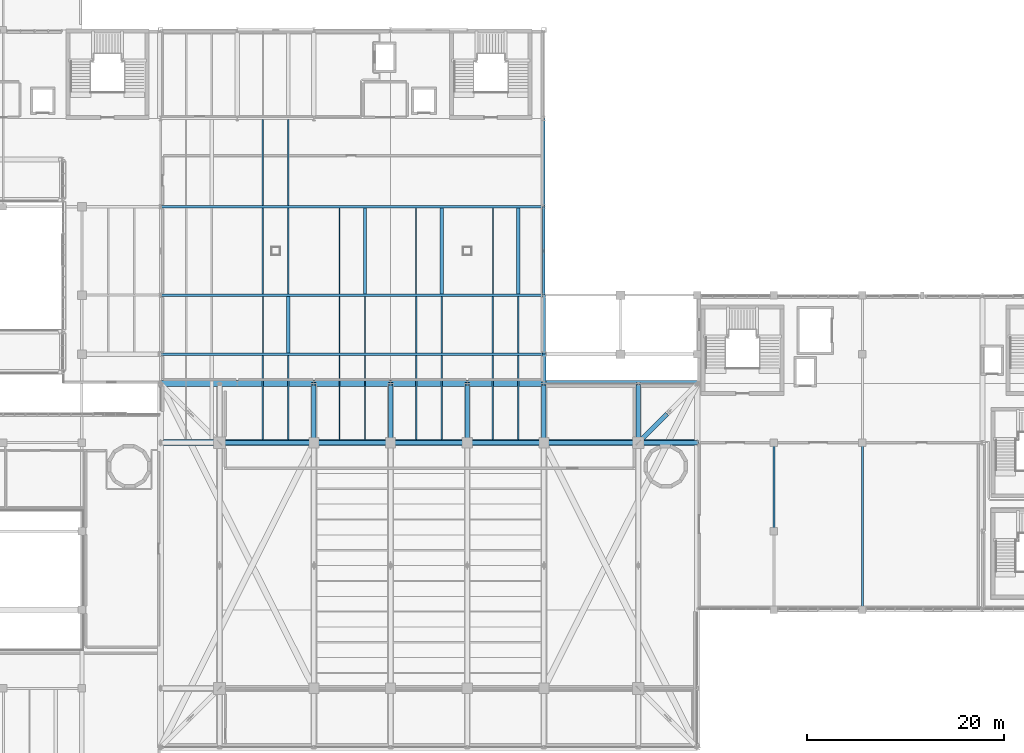
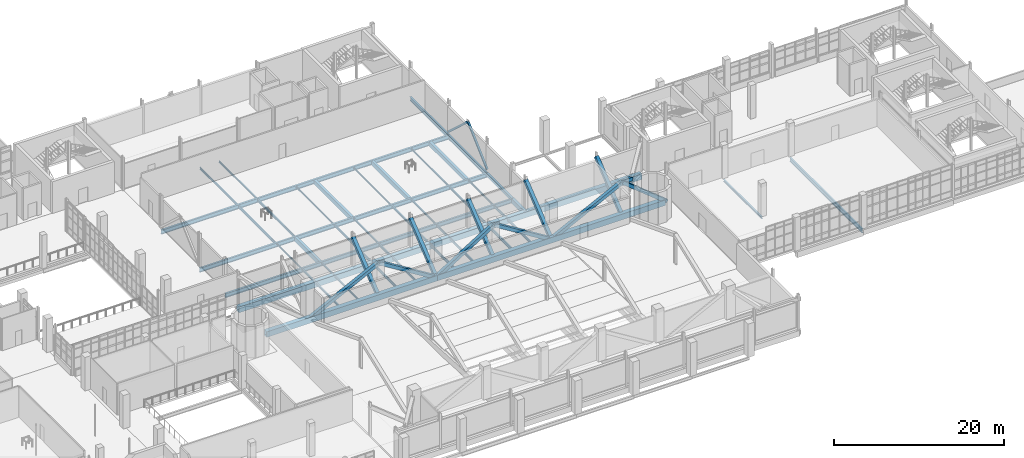
# One storey, part 59 of 127: 38 beams, 14 members.
"""IFC4 building model written with IfcOpenShell, lengths in metres."""

from ifc_helpers import new_model, si_unit, derived_unit, direction, frame, origin, origin_2d, place, context, subcontext, project, spatial, rectangle, hollow_rectangle, i_section, extrude, material, material_profile, profile_set, type_object, element, save


model = new_model("IFC4")

# Units and contexts
model_context = context("Model", 3, precision=1e-05, world=origin(), true_north=direction((0.0, 1.0)))
body_context = subcontext(model_context, "Body", "Model", "MODEL_VIEW")
ifc_project = project(units=[si_unit("LENGTHUNIT", "METRE"), si_unit("AREAUNIT", "SQUARE_METRE"), si_unit("VOLUMEUNIT", "CUBIC_METRE"), si_unit("PLANEANGLEUNIT", "RADIAN"), si_unit("MASSUNIT", "GRAM", prefix="KILO"), derived_unit("THERMALTRANSMITTANCEUNIT", [(si_unit("POWERUNIT", "WATT"), 1), (si_unit("LENGTHUNIT", "METRE"), -2), (si_unit("THERMODYNAMICTEMPERATUREUNIT", "KELVIN"), -1)])], contexts=[model_context])

# Site, building, storey
site_placement = place(None, origin())
site = spatial("IfcSite", under=ifc_project, at=site_placement, CompositionType="ELEMENT")
building_placement = place(site_placement, origin())
building = spatial("IfcBuilding", under=site, at=building_placement, Name="Nallur Shell Playhouse", CompositionType="ELEMENT")
storey_placement = place(building_placement, frame((0.0, 0.0, 5.39990234375)))
storey = spatial("IfcBuildingStorey", under=building, at=storey_placement, Name="L02", CompositionType="ELEMENT", Elevation=5.39990234375)

# Beams
ifc_material_1 = material(Name="Steel E250", Category="steel")
ifc_material_profile_1 = material_profile(ifc_material_1, i_section(OverallWidth=0.110107421875, OverallDepth=0.22509765625, WebThickness=0.006591796875, FlangeThickness=0.01171875, FilletRadius=0.011962890625, at=origin_2d()), Name="ISMB 225")
ifc_profile_set_1 = profile_set([ifc_material_profile_1], Name="Steel E250")
beam_type_1 = type_object("IfcBeamType", Name="BM-JST-ISMB225", PredefinedType="JOIST", material=ifc_profile_set_1)
beam_1_placement = place(storey_placement, frame((74.39990234375, 50.123046875, -0.392333984375), z_axis=(0.0, 1.0, 0.0), x_axis=(-1.0, 0.0, 0.0)))
element("IfcBeam", 1, at=beam_1_placement, inside=storey, type_object=beam_type_1, Name="L02 secondary joist 9-F-545", PredefinedType="JOIST", context=body_context, shape_type="SweptSolid", body=[
    extrude(i_section(OverallWidth=0.110107421875, OverallDepth=0.22509765625, WebThickness=0.006591796875, FlangeThickness=0.01171875, FilletRadius=0.011962890625, at=origin_2d()), origin(), (0.0, 0.0, 1.0), 5.75390625),
])
for number, where, z_axis, x_axis, name in (
    (2, (82.199951171875, 56.123046875, -0.392333984375), (0.0, 1.0, 0.0), (-1.0, 0.0, 0.0), "L02 secondary joist 10-G-557"),
    (3, (90.0, 56.123046875, -0.392333984375), (0.0, 1.0, 0.0), (-1.0, 0.0, 0.0), "L02 secondary joist 11-G-563"),
    (4, (97.800048828125, 56.123046875, -0.392333984375), (0.0, 1.0, 0.0), (-1.0, 0.0, 0.0), "L02 secondary joist 12-G-569"),
):
    element("IfcBeam", number, at=place(storey_placement, frame(where, z_axis=z_axis, x_axis=x_axis)), inside=storey, type_object=beam_type_1, Name=name, PredefinedType="JOIST", context=body_context, shape_type="SweptSolid", body=[
        extrude(i_section(OverallWidth=0.110107421875, OverallDepth=0.22509765625, WebThickness=0.006591796875, FlangeThickness=0.01171875, FilletRadius=0.011962890625, at=origin_2d()), origin(), (0.0, 0.0, 1.0), 8.75390625),
    ])
ifc_material_profile_2 = material_profile(ifc_material_1, i_section(OverallWidth=0.125, OverallDepth=0.25, WebThickness=0.0068359375, FlangeThickness=0.012451171875, FilletRadius=0.012939453125, at=origin_2d()), Name="ISMB 250")
ifc_profile_set_2 = profile_set([ifc_material_profile_2], Name="Steel E250")
beam_type_2 = type_object("IfcBeamType", Name="BM-JST-ISMB250", PredefinedType="JOIST", material=ifc_profile_set_2)
beam_2_placement = place(storey_placement, frame((77.0, 41.298095703125, -0.40478515625), z_axis=(0.0, 1.0, 0.0), x_axis=(-1.0, 0.0, 0.0)))
element("IfcBeam", 5, at=beam_2_placement, inside=storey, type_object=beam_type_2, Name="L02 secondary joist 9-E-544", PredefinedType="JOIST", context=body_context, shape_type="SweptSolid", body=[
    extrude(i_section(OverallWidth=0.125, OverallDepth=0.25, WebThickness=0.0068359375, FlangeThickness=0.012451171875, FilletRadius=0.012939453125, at=origin_2d()), origin(), (0.0, 0.0, 1.0), 8.578857421875),
])
beam_3_placement = place(storey_placement, frame((77.0, 65.123046875, -0.40478515625), z_axis=(0.0, 1.0, 0.0), x_axis=(-1.0, 0.0, 0.0)))
element("IfcBeam", 6, at=beam_3_placement, inside=storey, type_object=beam_type_2, Name="L02 secondary joist 9-H-550", PredefinedType="JOIST", context=body_context, shape_type="SweptSolid", body=[
    extrude(i_section(OverallWidth=0.125, OverallDepth=0.25, WebThickness=0.0068359375, FlangeThickness=0.012451171875, FilletRadius=0.012939453125, at=origin_2d()), origin(), (0.0, 0.0, 1.0), 8.779052734375),
])
for number, where, z_axis, x_axis, name in (
    (7, (84.800048828125, 50.123046875, -0.40478515625), (0.0, 1.0, 0.0), (-1.0, 0.0, 0.0), "L02 secondary joist 10-F-556"),
    (8, (92.60009765625, 50.123046875, -0.40478515625), (0.0, 1.0, 0.0), (-1.0, 0.0, 0.0), "L02 secondary joist 11-F-562"),
    (9, (100.39990234375, 50.123046875, -0.40478515625), (0.0, 1.0, 0.0), (-1.0, 0.0, 0.0), "L02 secondary joist 12-F-568"),
):
    element("IfcBeam", number, at=place(storey_placement, frame(where, z_axis=z_axis, x_axis=x_axis)), inside=storey, type_object=beam_type_2, Name=name, PredefinedType="JOIST", context=body_context, shape_type="SweptSolid", body=[
        extrude(i_section(OverallWidth=0.125, OverallDepth=0.25, WebThickness=0.0068359375, FlangeThickness=0.012451171875, FilletRadius=0.012939453125, at=origin_2d()), origin(), (0.0, 0.0, 1.0), 5.75390625),
    ])
ifc_material_profile_3 = material_profile(ifc_material_1, i_section(OverallWidth=0.139892578125, OverallDepth=0.300048828125, WebThickness=0.0078125, FlangeThickness=0.01318359375, FilletRadius=0.013916015625, at=origin_2d()), Name="ISMB 300")
ifc_profile_set_3 = profile_set([ifc_material_profile_3], Name="Steel E250")
beam_type_3 = type_object("IfcBeamType", Name="BM-JST-ISMB300", PredefinedType="JOIST", material=ifc_profile_set_3)
beam_4_placement = place(storey_placement, frame((74.39990234375, 41.298095703125, -0.429931640625), z_axis=(0.0, 1.0, 0.0), x_axis=(-1.0, 0.0, 0.0)))
element("IfcBeam", 10, at=beam_4_placement, inside=storey, type_object=beam_type_3, Name="L02 secondary joist 9-E-543", PredefinedType="JOIST", context=body_context, shape_type="SweptSolid", body=[
    extrude(i_section(OverallWidth=0.139892578125, OverallDepth=0.300048828125, WebThickness=0.0078125, FlangeThickness=0.01318359375, FilletRadius=0.013916015625, at=origin_2d()), origin(), (0.0, 0.0, 1.0), 8.578857421875),
])
beam_5_placement = place(storey_placement, frame((74.39990234375, 65.123046875, -0.429931640625), z_axis=(0.0, 1.0, 0.0), x_axis=(-1.0, 0.0, 0.0)))
element("IfcBeam", 11, at=beam_5_placement, inside=storey, type_object=beam_type_3, Name="L02 secondary joist 9-H-549", PredefinedType="JOIST", context=body_context, shape_type="SweptSolid", body=[
    extrude(i_section(OverallWidth=0.139892578125, OverallDepth=0.300048828125, WebThickness=0.0078125, FlangeThickness=0.01318359375, FilletRadius=0.013916015625, at=origin_2d()), origin(), (0.0, 0.0, 1.0), 8.779052734375),
])
for number, where, z_axis, x_axis, name in (
    (12, (82.199951171875, 50.123046875, -0.429931640625), (0.0, 1.0, 0.0), (-1.0, 0.0, 0.0), "L02 secondary joist 10-F-555"),
    (13, (90.0, 50.123046875, -0.429931640625), (0.0, 1.0, 0.0), (-1.0, 0.0, 0.0), "L02 secondary joist 11-F-561"),
    (14, (97.800048828125, 50.123046875, -0.429931640625), (0.0, 1.0, 0.0), (-1.0, 0.0, 0.0), "L02 secondary joist 12-F-567"),
):
    element("IfcBeam", number, at=place(storey_placement, frame(where, z_axis=z_axis, x_axis=x_axis)), inside=storey, type_object=beam_type_3, Name=name, PredefinedType="JOIST", context=body_context, shape_type="SweptSolid", body=[
        extrude(i_section(OverallWidth=0.139892578125, OverallDepth=0.300048828125, WebThickness=0.0078125, FlangeThickness=0.01318359375, FilletRadius=0.013916015625, at=origin_2d()), origin(), (0.0, 0.0, 1.0), 5.75390625),
    ])
ifc_material_profile_4 = material_profile(ifc_material_1, i_section(OverallWidth=0.139892578125, OverallDepth=0.35009765625, WebThickness=0.008056640625, FlangeThickness=0.01416015625, FilletRadius=0.013916015625, at=origin_2d()), Name="ISMB 350")
ifc_profile_set_4 = profile_set([ifc_material_profile_4], Name="Steel E250")
beam_type_4 = type_object("IfcBeamType", Name="BM-JST-ISMB350", PredefinedType="JOIST", material=ifc_profile_set_4)
beam_6_placement = place(storey_placement, frame((77.0, 56.123046875, -0.454833984375), z_axis=(0.0, 1.0, 0.0), x_axis=(-1.0, 0.0, 0.0)))
element("IfcBeam", 15, at=beam_6_placement, inside=storey, type_object=beam_type_4, Name="L02 secondary joist 9-G-548", PredefinedType="JOIST", context=body_context, shape_type="SweptSolid", body=[
    extrude(i_section(OverallWidth=0.139892578125, OverallDepth=0.35009765625, WebThickness=0.008056640625, FlangeThickness=0.01416015625, FilletRadius=0.013916015625, at=origin_2d()), origin(), (0.0, 0.0, 1.0), 8.75390625),
])
for number, where, z_axis, x_axis, name in (
    (16, (84.800048828125, 41.298095703125, -0.454833984375), (0.0, 1.0, 0.0), (-1.0, 0.0, 0.0), "L02 secondary joist 10-E-554"),
    (17, (92.60009765625, 41.298095703125, -0.454833984375), (0.0, 1.0, 0.0), (-1.0, 0.0, 0.0), "L02 secondary joist 11-E-560"),
    (18, (100.39990234375, 41.298095703125, -0.454833984375), (0.0, 1.0, 0.0), (-1.0, 0.0, 0.0), "L02 secondary joist 12-E-566"),
):
    element("IfcBeam", number, at=place(storey_placement, frame(where, z_axis=z_axis, x_axis=x_axis)), inside=storey, type_object=beam_type_4, Name=name, PredefinedType="JOIST", context=body_context, shape_type="SweptSolid", body=[
        extrude(i_section(OverallWidth=0.139892578125, OverallDepth=0.35009765625, WebThickness=0.008056640625, FlangeThickness=0.01416015625, FilletRadius=0.013916015625, at=origin_2d()), origin(), (0.0, 0.0, 1.0), 8.578857421875),
    ])
ifc_material_profile_5 = material_profile(ifc_material_1, i_section(OverallWidth=0.139892578125, OverallDepth=0.39990234375, WebThickness=0.0087890625, FlangeThickness=0.01611328125, FilletRadius=0.013916015625, at=origin_2d()), Name="ISMB 400")
ifc_profile_set_5 = profile_set([ifc_material_profile_5], Name="Steel E250")
beam_type_5 = type_object("IfcBeamType", Name="BM-JST-ISMB400", PredefinedType="JOIST", material=ifc_profile_set_5)
beam_7_placement = place(storey_placement, frame((74.39990234375, 56.123046875, -0.47998046875), z_axis=(0.0, 1.0, 0.0), x_axis=(-1.0, 0.0, 0.0)))
element("IfcBeam", 19, at=beam_7_placement, inside=storey, type_object=beam_type_5, Name="L02 secondary joist 9-G-547", PredefinedType="JOIST", context=body_context, shape_type="SweptSolid", body=[
    extrude(i_section(OverallWidth=0.139892578125, OverallDepth=0.39990234375, WebThickness=0.0087890625, FlangeThickness=0.01611328125, FilletRadius=0.013916015625, at=origin_2d()), origin(), (0.0, 0.0, 1.0), 8.75390625),
])
for number, where, z_axis, x_axis, name in (
    (20, (82.199951171875, 41.298095703125, -0.47998046875), (0.0, 1.0, 0.0), (-1.0, 0.0, 0.0), "L02 secondary joist 10-E-553"),
    (21, (90.0, 41.298095703125, -0.47998046875), (0.0, 1.0, 0.0), (-1.0, 0.0, 0.0), "L02 secondary joist 11-E-559"),
    (22, (97.800048828125, 41.298095703125, -0.47998046875), (0.0, 1.0, 0.0), (-1.0, 0.0, 0.0), "L02 secondary joist 12-E-565"),
):
    element("IfcBeam", number, at=place(storey_placement, frame(where, z_axis=z_axis, x_axis=x_axis)), inside=storey, type_object=beam_type_5, Name=name, PredefinedType="JOIST", context=body_context, shape_type="SweptSolid", body=[
        extrude(i_section(OverallWidth=0.139892578125, OverallDepth=0.39990234375, WebThickness=0.0087890625, FlangeThickness=0.01611328125, FilletRadius=0.013916015625, at=origin_2d()), origin(), (0.0, 0.0, 1.0), 8.578857421875),
    ])
ifc_material_2 = material(Name="Concrete M30", Category="concrete")
ifc_material_profile_6 = material_profile(ifc_material_2, rectangle(XDim=0.35009765625, YDim=0.60009765625, at=origin_2d()), Name="RC 350x600")
ifc_profile_set_6 = profile_set([ifc_material_profile_6], Name="Concrete M30")
beam_type_6 = type_object("IfcBeamType", Name="BM-RC-350x600", PredefinedType="JOIST", material=ifc_profile_set_6)
beam_8_placement = place(storey_placement, frame((77.0, 50.123046875, -0.579833984375), z_axis=(0.0, 1.0, 0.0), x_axis=(-1.0, 0.0, 0.0)))
element("IfcBeam", 23, at=beam_8_placement, inside=storey, type_object=beam_type_6, Name="L02 secondary joist 9-F-546", PredefinedType="JOIST", context=body_context, shape_type="SweptSolid", body=[
    extrude(rectangle(XDim=0.35009765625, YDim=0.60009765625, at=origin_2d()), origin(), (0.0, 0.0, 1.0), 5.75390625),
])
for number, where, z_axis, x_axis, name in (
    (24, (84.800048828125, 56.123046875, -0.579833984375), (0.0, 1.0, 0.0), (-1.0, 0.0, 0.0), "L02 secondary joist 10-G-558"),
    (25, (92.60009765625, 56.123046875, -0.579833984375), (0.0, 1.0, 0.0), (-1.0, 0.0, 0.0), "L02 secondary joist 11-G-564"),
    (26, (100.39990234375, 56.123046875, -0.579833984375), (0.0, 1.0, 0.0), (-1.0, 0.0, 0.0), "L02 secondary joist 12-G-570"),
):
    element("IfcBeam", number, at=place(storey_placement, frame(where, z_axis=z_axis, x_axis=x_axis)), inside=storey, type_object=beam_type_6, Name=name, PredefinedType="JOIST", context=body_context, shape_type="SweptSolid", body=[
        extrude(rectangle(XDim=0.35009765625, YDim=0.60009765625, at=origin_2d()), origin(), (0.0, 0.0, 1.0), 8.75390625),
    ])
ifc_material_3 = material(Name="Concrete M35", Category="concrete")
ifc_material_profile_7 = material_profile(ifc_material_3, rectangle(XDim=0.39990234375, YDim=0.64990234375, at=origin_2d()), Name="RC 400x650")
ifc_profile_set_7 = profile_set([ifc_material_profile_7], Name="Concrete M35")
beam_type_7 = type_object("IfcBeamType", Name="BM-RC-400x650", PredefinedType="BEAM", material=ifc_profile_set_7)
beam_9_placement = place(storey_placement, frame((103.0, 47.0, -0.60498046875), z_axis=(0.0, 1.0, 0.0), x_axis=(-1.0, 0.0, 0.0)))
element("IfcBeam", 27, at=beam_9_placement, inside=storey, type_object=beam_type_7, Name="L02 girder Y-13-447", PredefinedType="BEAM", context=body_context, shape_type="SweptSolid", body=[
    extrude(rectangle(XDim=0.39990234375, YDim=0.64990234375, at=origin_2d()), origin(), (0.0, 0.0, 1.0), 3.0),
])
ifc_material_profile_8 = material_profile(ifc_material_3, rectangle(XDim=0.300048828125, YDim=0.449951171875, at=origin_2d()), Name="RC 300x450")
ifc_profile_set_8 = profile_set([ifc_material_profile_8], Name="Concrete M35")
beam_type_8 = type_object("IfcBeamType", Name="BM-SPN-300x450", PredefinedType="SPANDREL", material=ifc_profile_set_8)
beam_10_placement = place(storey_placement, frame((103.0, 50.0, -0.5048828125), z_axis=(0.0, 1.0, 0.0), x_axis=(-1.0, 0.0, 0.0)))
element("IfcBeam", 28, at=beam_10_placement, inside=storey, type_object=beam_type_8, Name="L02 girder Y-13-448", PredefinedType="SPANDREL", context=body_context, shape_type="SweptSolid", body=[
    extrude(rectangle(XDim=0.300048828125, YDim=0.449951171875, at=origin_2d()), origin(), (0.0, 0.0, 1.0), 6.0),
])
ifc_material_4 = material(Name="Steel E350", Category="steel")
ifc_material_profile_9 = material_profile(ifc_material_4, i_section(OverallWidth=0.2099609375, OverallDepth=0.60009765625, WebThickness=0.011962890625, FlangeThickness=0.020751953125, FilletRadius=0.02001953125, at=origin_2d()), Name="ISMB 600")
ifc_profile_set_9 = profile_set([ifc_material_profile_9], Name="Steel E350")
beam_type_9 = type_object("IfcBeamType", Name="BM-ST-ISMB600", PredefinedType="BEAM", material=ifc_profile_set_9)
beam_11_placement = place(storey_placement, frame((135.39990234375, 24.0, -0.579833984375), z_axis=(0.0, 1.0, 0.0), x_axis=(-1.0, 0.0, 0.0)))
element("IfcBeam", 29, at=beam_11_placement, inside=storey, type_object=beam_type_9, Name="L02 girder Y-17-456", PredefinedType="BEAM", context=body_context, shape_type="SweptSolid", body=[
    extrude(i_section(OverallWidth=0.2099609375, OverallDepth=0.60009765625, WebThickness=0.011962890625, FlangeThickness=0.020751953125, FilletRadius=0.02001953125, at=origin_2d()), origin(), (0.0, 0.0, 1.0), 17.0),
])
ifc_material_profile_10 = material_profile(ifc_material_1, i_section(OverallWidth=0.199951171875, OverallDepth=0.300048828125, WebThickness=0.00732421875, FlangeThickness=0.010009765625, FilletRadius=0.010986328125, at=origin_2d()), Name="ISWB 300")
ifc_profile_set_10 = profile_set([ifc_material_profile_10], Name="Steel E250")
beam_type_10 = type_object("IfcBeamType", Name="BM-ST-ISWB300", PredefinedType="BEAM", material=ifc_profile_set_10)
beam_12_placement = place(storey_placement, frame((126.39990234375, 32.0, -0.429931640625), z_axis=(0.0, 1.0, 0.0), x_axis=(-1.0, 0.0, 0.0)))
element("IfcBeam", 30, at=beam_12_placement, inside=storey, type_object=beam_type_10, Name="L02 girder Y-16-455", PredefinedType="BEAM", context=body_context, shape_type="SweptSolid", body=[
    extrude(i_section(OverallWidth=0.199951171875, OverallDepth=0.300048828125, WebThickness=0.00732421875, FlangeThickness=0.010009765625, FilletRadius=0.010986328125, at=origin_2d()), origin(), (0.0, 0.0, 1.0), 9.0),
])
ifc_material_profile_11 = material_profile(ifc_material_4, i_section(OverallWidth=0.25, OverallDepth=0.550048828125, WebThickness=0.010498046875, FlangeThickness=0.017578125, FilletRadius=0.01611328125, at=origin_2d()), Name="ISWB 550")
ifc_profile_set_11 = profile_set([ifc_material_profile_11], Name="Steel E350")
beam_type_11 = type_object("IfcBeamType", Name="BM-ST-ISWB550", PredefinedType="BEAM", material=ifc_profile_set_11)
beam_13_placement = place(storey_placement, frame((103.0, 65.0, -0.554931640625), z_axis=(0.0, 1.0, 0.0), x_axis=(-1.0, 0.0, 0.0)))
element("IfcBeam", 31, at=beam_13_placement, inside=storey, type_object=beam_type_11, Name="L02 girder Y-13-450", PredefinedType="BEAM", context=body_context, shape_type="SweptSolid", body=[
    extrude(i_section(OverallWidth=0.25, OverallDepth=0.550048828125, WebThickness=0.010498046875, FlangeThickness=0.017578125, FilletRadius=0.01611328125, at=origin_2d()), origin(), (0.0, 0.0, 1.0), 9.0),
])
ifc_material_profile_12 = material_profile(ifc_material_4, i_section(OverallWidth=0.25, OverallDepth=0.60009765625, WebThickness=0.01171875, FlangeThickness=0.023681640625, FilletRadius=0.01708984375, at=origin_2d()), Name="ISWB 600")
ifc_profile_set_12 = profile_set([ifc_material_profile_12], Name="Steel E350")
beam_type_12 = type_object("IfcBeamType", Name="BM-ST-ISWB600", PredefinedType="BEAM", material=ifc_profile_set_12)
beam_14_placement = place(storey_placement, frame((103.0, 56.0, -0.579833984375), z_axis=(0.0, 1.0, 0.0), x_axis=(-1.0, 0.0, 0.0)))
element("IfcBeam", 32, at=beam_14_placement, inside=storey, type_object=beam_type_12, Name="L02 girder Y-13-449", PredefinedType="BEAM", context=body_context, shape_type="SweptSolid", body=[
    extrude(i_section(OverallWidth=0.25, OverallDepth=0.60009765625, WebThickness=0.01171875, FlangeThickness=0.023681640625, FilletRadius=0.01708984375, at=origin_2d()), origin(), (0.0, 0.0, 1.0), 9.0),
])
for number, where, z_axis, x_axis, name in (
    (33, (64.0, 50.0, -0.579833984375), (1.0, 0.0, 0.0), (0.0, 1.0, 0.0), "L02 long-span hall girder Y=50.0-470"),
    (34, (64.0, 56.0, -0.579833984375), (1.0, 0.0, 0.0), (0.0, 1.0, 0.0), "L02 long-span hall girder Y=56.0-471"),
    (35, (64.0, 65.0, -0.579833984375), (1.0, 0.0, 0.0), (0.0, 1.0, 0.0), "L02 long-span hall girder Y=65.0-472"),
):
    element("IfcBeam", number, at=place(storey_placement, frame(where, z_axis=z_axis, x_axis=x_axis)), inside=storey, type_object=beam_type_12, Name=name, PredefinedType="BEAM", context=body_context, shape_type="SweptSolid", body=[
        extrude(i_section(OverallWidth=0.25, OverallDepth=0.60009765625, WebThickness=0.01171875, FlangeThickness=0.023681640625, FilletRadius=0.01708984375, at=origin_2d()), origin(), (0.0, 0.0, 1.0), 39.0),
    ])
ifc_material_profile_13 = material_profile(ifc_material_4, hollow_rectangle(XDim=0.60009765625, YDim=0.800048828125, WallThickness=0.02490234375, at=origin_2d()), Name="BOX 600x800x25")
ifc_profile_set_13 = profile_set([ifc_material_profile_13], Name="Steel E350")
beam_type_13 = type_object("IfcBeamType", Name="BM-TT-CHORD", PredefinedType="BEAM", material=ifc_profile_set_13)
beam_15_placement = place(storey_placement, frame((64.298095703125, 41.0, -0.679931640625), z_axis=(1.0, 0.0, 0.0), x_axis=(0.0, 1.0, 0.0)))
element("IfcBeam", 36, at=beam_15_placement, inside=storey, type_object=beam_type_13, Name="Transfer truss TT-2 bottom chord 1", PredefinedType="BEAM", context=body_context, shape_type="SweptSolid", body=[
    extrude(hollow_rectangle(XDim=0.60009765625, YDim=0.800048828125, WallThickness=0.02490234375, at=origin_2d()), origin(), (0.0, 0.0, 1.0), 23.101806640625),
])
beam_16_placement = place(storey_placement, frame((87.39990234375, 41.0, -0.679931640625), z_axis=(1.0, 0.0, 0.0), x_axis=(0.0, 1.0, 0.0)))
element("IfcBeam", 37, at=beam_16_placement, inside=storey, type_object=beam_type_13, Name="Transfer truss TT-2 bottom chord 2", PredefinedType="BEAM", context=body_context, shape_type="SweptSolid", body=[
    extrude(hollow_rectangle(XDim=0.60009765625, YDim=0.800048828125, WallThickness=0.02490234375, at=origin_2d()), origin(), (0.0, 0.0, 1.0), 30.902099609375),
])
beam_17_placement = place(storey_placement, frame((64.0, 47.0, -0.679931640625), z_axis=(1.0, 0.0, 0.0), x_axis=(0.0, 1.0, 0.0)))
element("IfcBeam", 38, at=beam_17_placement, inside=storey, type_object=beam_type_13, Name="Gold box perimeter chord L02-N1", PredefinedType="BEAM", context=body_context, shape_type="SweptSolid", body=[
    extrude(hollow_rectangle(XDim=0.60009765625, YDim=0.800048828125, WallThickness=0.02490234375, at=origin_2d()), origin(), (0.0, 0.0, 1.0), 54.60009765625),
])

# Members
ifc_material_profile_14 = material_profile(ifc_material_4, hollow_rectangle(XDim=0.25, YDim=0.25, WallThickness=0.011962890625, at=origin_2d()), Name="SHS 250x250x12")
ifc_profile_set_14 = profile_set([ifc_material_profile_14], Name="Steel E350")
member_type_1 = type_object("IfcMemberType", Name="MB-FT-BRACE1", PredefinedType="BRACE", material=ifc_profile_set_14)
for number, where, z_axis, x_axis, name in (
    (39, (103.0, 56.0, 0.150146484375), (0.0, 0.735939765256, 0.677047016029), (-1.0, 0.0, 0.0), "Stage fly tower concentric brace BR-FT-L02-011"),
    (40, (103.0, 65.0, 0.150146484375), (0.0, -0.735939765256, 0.677047016029), (1.0, 0.0, 0.0), "Stage fly tower concentric brace BR-FT-L02-012"),
):
    element("IfcMember", number, at=place(storey_placement, frame(where, z_axis=z_axis, x_axis=x_axis)), inside=storey, type_object=member_type_1, Name=name, PredefinedType="BRACE", context=body_context, shape_type="SweptSolid", body=[
        extrude(hollow_rectangle(XDim=0.25, YDim=0.25, WallThickness=0.011962890625, at=origin_2d()), origin(), (0.0, 0.0, 1.0), 6.11474609375),
    ])
ifc_material_profile_15 = material_profile(ifc_material_4, hollow_rectangle(XDim=0.449951171875, YDim=0.449951171875, WallThickness=0.02001953125, at=origin_2d()), Name="BOX 450x450x20")
ifc_profile_set_15 = profile_set([ifc_material_profile_15], Name="Steel E350")
member_type_2 = type_object("IfcMemberType", Name="MB-TT-DIAG", PredefinedType="BRACE", material=ifc_profile_set_15)
member_1_placement = place(storey_placement, frame((70.0, 41.0, -0.679931640625), z_axis=(0.893680494972, 0.0, 0.448703881091), x_axis=(0.0, 1.0, 0.0)))
element("IfcMember", 41, at=member_1_placement, inside=storey, type_object=member_type_2, Name="Transfer truss TT-2 diagonal 2", PredefinedType="BRACE", context=body_context, shape_type="SweptSolid", body=[
    extrude(hollow_rectangle(XDim=0.449951171875, YDim=0.449951171875, WallThickness=0.02001953125, at=origin_2d()), origin(), (0.0, 0.0, 1.0), 10.7421875),
])
member_2_placement = place(storey_placement, frame((79.60009765625, 41.0, 4.14013671875), z_axis=(0.850674026374, 0.0, -0.525693542716), x_axis=(0.0, 1.0, 0.0)))
element("IfcMember", 42, at=member_2_placement, inside=storey, type_object=member_type_2, Name="Transfer truss TT-2 diagonal 3", PredefinedType="BRACE", context=body_context, shape_type="SweptSolid", body=[
    extrude(hollow_rectangle(XDim=0.449951171875, YDim=0.449951171875, WallThickness=0.02001953125, at=origin_2d()), origin(), (0.0, 0.0, 1.0), 9.1689453125),
])
for number, where, z_axis, x_axis, name in (
    (43, (87.39990234375, 41.0, -0.679931640625), (0.850681384547, 0.0, 0.525681635579), (0.0, 1.0, 0.0), "Transfer truss TT-2 diagonal 4"),
    (44, (95.199951171875, 41.0, 4.14013671875), (0.850681384547, 0.0, -0.525681635579), (0.0, 1.0, 0.0), "Transfer truss TT-2 diagonal 5"),
):
    element("IfcMember", number, at=place(storey_placement, frame(where, z_axis=z_axis, x_axis=x_axis)), inside=storey, type_object=member_type_2, Name=name, PredefinedType="BRACE", context=body_context, shape_type="SweptSolid", body=[
        extrude(hollow_rectangle(XDim=0.449951171875, YDim=0.449951171875, WallThickness=0.02001953125, at=origin_2d()), origin(), (0.0, 0.0, 1.0), 9.169189453125),
    ])
member_3_placement = place(storey_placement, frame((103.0, 41.0, -0.679931640625), z_axis=(0.893680494972, 0.0, 0.448703881091), x_axis=(0.0, 1.0, 0.0)))
element("IfcMember", 45, at=member_3_placement, inside=storey, type_object=member_type_2, Name="Transfer truss TT-2 diagonal 6", PredefinedType="BRACE", context=body_context, shape_type="SweptSolid", body=[
    extrude(hollow_rectangle(XDim=0.449951171875, YDim=0.449951171875, WallThickness=0.02001953125, at=origin_2d()), origin(), (0.0, 0.0, 1.0), 10.7421875),
])
for number, where, z_axis, x_axis, name in (
    (46, (112.60009765625, 41.0, 4.14013671875), (0.779595223506, 0.0, -0.626283711657), (0.0, 1.0, 0.0), "Transfer truss TT-2 diagonal 7"),
    (47, (79.60009765625, 41.0, -0.679931640625), (0.0, 0.779595223506, 0.626283711657), (-1.0, 0.0, 0.0), "Transfer truss TT-4 diagonal 4"),
    (48, (87.39990234375, 41.0, -0.679931640625), (0.0, 0.779595223506, 0.626283711657), (-1.0, 0.0, 0.0), "Transfer truss TT-5 diagonal 4"),
    (49, (95.199951171875, 41.0, -0.679931640625), (0.0, 0.779595223506, 0.626283711657), (-1.0, 0.0, 0.0), "Transfer truss TT-6 diagonal 4"),
    (50, (103.0, 41.0, -0.679931640625), (0.0, 0.779595223506, 0.626283711657), (-1.0, 0.0, 0.0), "Transfer truss TT-7 diagonal 4"),
    (51, (112.60009765625, 41.0, -0.679931640625), (0.0, 0.779595223506, 0.626283711657), (-1.0, 0.0, 0.0), "Transfer truss TT-8 diagonal 4"),
):
    element("IfcMember", number, at=place(storey_placement, frame(where, z_axis=z_axis, x_axis=x_axis)), inside=storey, type_object=member_type_2, Name=name, PredefinedType="BRACE", context=body_context, shape_type="SweptSolid", body=[
        extrude(hollow_rectangle(XDim=0.449951171875, YDim=0.449951171875, WallThickness=0.02001953125, at=origin_2d()), origin(), (0.0, 0.0, 1.0), 7.6962890625),
    ])
member_4_placement = place(storey_placement, frame((112.60009765625, 41.0, 4.14013671875), z_axis=(0.614824935182, 0.614824935182, -0.493943922077), x_axis=(-0.707106781187, 0.707106781187, 0.0)))
element("IfcMember", 52, at=member_4_placement, inside=storey, type_object=member_type_2, Name="Corner transfer TTC-NE split diagonal tie 1", PredefinedType="BRACE", context=body_context, shape_type="SweptSolid", body=[
    extrude(hollow_rectangle(XDim=0.449951171875, YDim=0.449951171875, WallThickness=0.02001953125, at=origin_2d()), origin(), (0.0, 0.0, 1.0), 4.63916015625),
])

save(model, "model.ifc")
